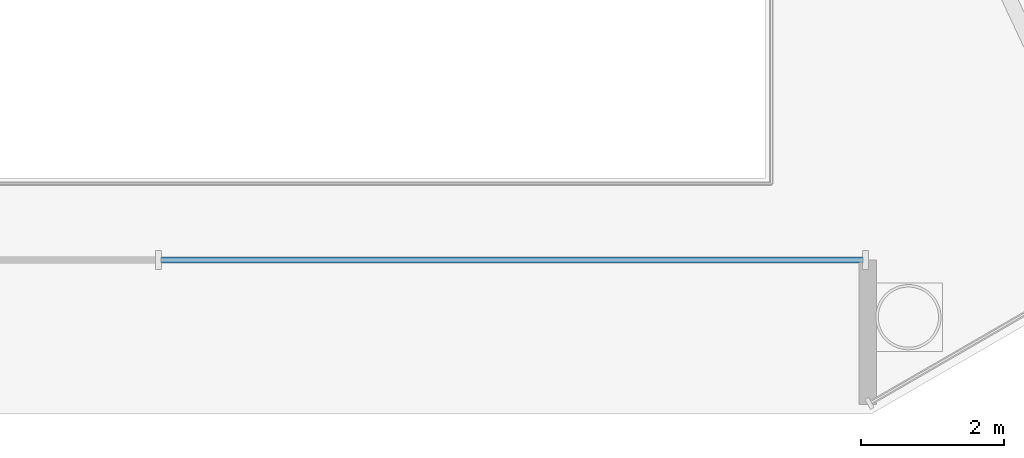
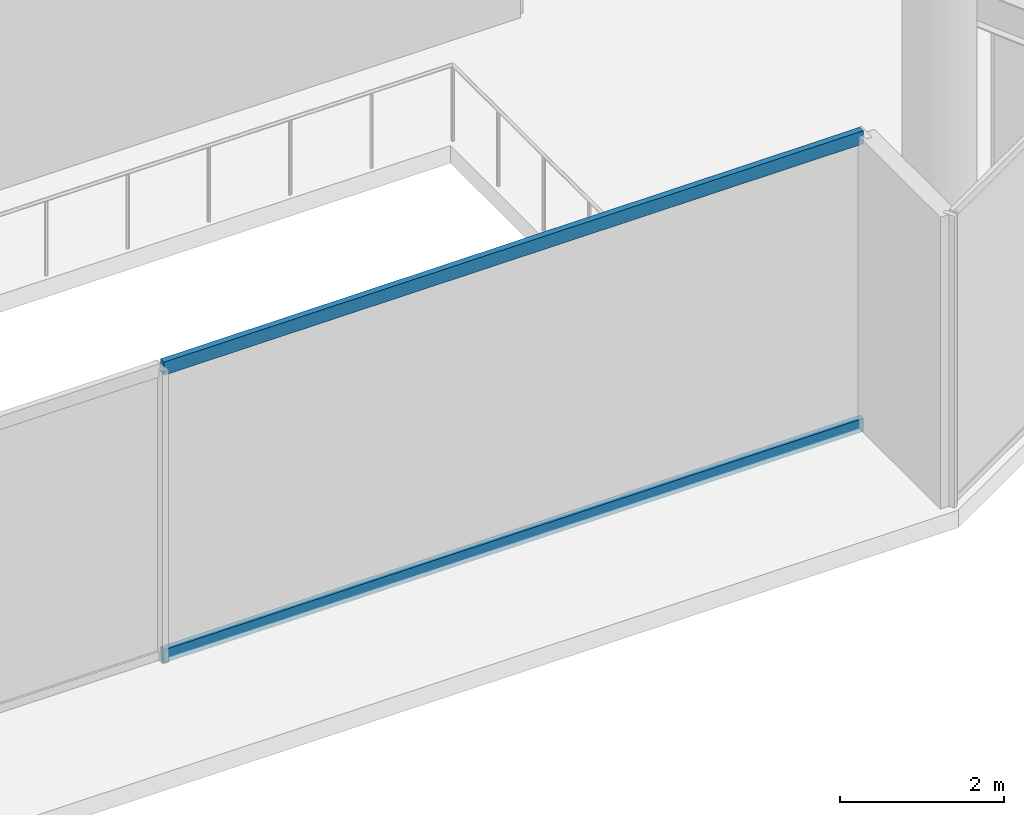
# One storey, part 6 of 22: 2 members, 1 element without a shape of its own.
"""IFC4 building model written with IfcOpenShell, lengths in metres."""

import ifcopenshell
import ifcopenshell.guid

model = None  # the IFC model being written
_history = None  # IfcOwnerHistory: only IFC2X3 demands one
_inside = {}  # id of a spatial element -> (the spatial element, [elements in it])
_under = {}  # id of a project, library or spatial element -> (it, [spatial elements below it])
_declared = {}  # id of a project -> (the project, [libraries it declares])
_typed = {}  # id of a type object -> (the type object, [elements of that type])
_made_of = {}  # id of a material, layer set ... -> (it, [elements and type objects made of it])


def new_model(schema):
    """Start an empty IFC model of exactly this schema.

    Asked for "IFC4X3", IfcOpenShell would pick the latest addendum, in which some entities
    have other attributes; the version numbers below select the first issue.
    IFC2X3 requires an IfcOwnerHistory on every rooted entity: one is made here for all.
    """
    global model, _history
    if schema == "IFC4X3":
        model = ifcopenshell.file(schema_version=(4, 3, 0, 0))
    else:
        model = ifcopenshell.file(schema=schema)
    _inside.clear()
    _under.clear()
    _declared.clear()
    _typed.clear()
    _made_of.clear()
    _history = None
    if model.schema == "IFC2X3":
        org = make("IfcOrganization", Name="unknown")
        user = make(
            "IfcPersonAndOrganization",
            ThePerson=make("IfcPerson", FamilyName="unknown"),
            TheOrganization=org,
        )
        app = make(
            "IfcApplication",
            ApplicationDeveloper=org,
            Version="unknown",
            ApplicationFullName="unknown",
            ApplicationIdentifier="unknown",
        )
        _history = make(
            "IfcOwnerHistory",
            OwningUser=user,
            OwningApplication=app,
            ChangeAction="ADDED",
            CreationDate=0,
        )
    return model


def make(cls, **values):
    """One entity of the class cls with the attributes given. An attribute that is None is left unset."""
    return model.create_entity(
        cls, **{name: value for name, value in values.items() if value is not None}
    )


def rooted(cls, **values):
    """An entity with a GlobalId (a new one), such as an element, a storey or a relation."""
    return make(cls, GlobalId=ifcopenshell.guid.new(), OwnerHistory=_history, **values)


def si_unit(unit_type, name, prefix=None):
    """IfcSIUnit, for example si_unit("LENGTHUNIT", "METRE", prefix="MILLI")."""
    return make("IfcSIUnit", UnitType=unit_type, Prefix=prefix, Name=name)


def assignment(units):
    """IfcUnitAssignment: the units of a project."""
    return None if units is None else make("IfcUnitAssignment", Units=units)


def point(xyz):
    """IfcCartesianPoint."""
    return None if xyz is None else make("IfcCartesianPoint", Coordinates=xyz)


def direction(xyz):
    """IfcDirection."""
    return None if xyz is None else make("IfcDirection", DirectionRatios=xyz)


def frame(location, z_axis=None, x_axis=None):
    """IfcAxis2Placement3D, a coordinate frame: its origin and axes. An axis left out is left unset."""
    return make(
        "IfcAxis2Placement3D",
        Location=point(location),
        Axis=direction(z_axis),
        RefDirection=direction(x_axis),
    )


def frame_2d(location, x_axis=None):
    """IfcAxis2Placement2D, a coordinate frame in the plane: its origin and x axis."""
    return make(
        "IfcAxis2Placement2D", Location=point(location), RefDirection=direction(x_axis)
    )


def origin():
    """The frame at (0, 0, 0) with its axes left unset."""
    return frame((0.0, 0.0, 0.0))


def origin_2d():
    """The frame at (0, 0) in the plane with its x axis left unset."""
    return frame_2d((0.0, 0.0))


def place(relative_to, where):
    """IfcLocalPlacement: puts the frame where relative to a parent placement (None: the world)."""
    return make(
        "IfcLocalPlacement", PlacementRelTo=relative_to, RelativePlacement=where
    )


def context(
    kind, dimensions, precision=None, world=None, true_north=None, identifier=None
):
    """IfcGeometricRepresentationContext, for example the 3D "Model" context."""
    return make(
        "IfcGeometricRepresentationContext",
        ContextIdentifier=identifier,
        ContextType=kind,
        CoordinateSpaceDimension=dimensions,
        Precision=precision,
        WorldCoordinateSystem=world,
        TrueNorth=true_north,
    )


def subcontext(parent, identifier, kind, view, scale=None):
    """IfcGeometricRepresentationSubContext, for example "Body" below "Model"."""
    return make(
        "IfcGeometricRepresentationSubContext",
        ContextIdentifier=identifier,
        ContextType=kind,
        ParentContext=parent,
        TargetScale=scale,
        TargetView=view,
    )


def project(units=None, contexts=None):
    """IfcProject with its units and contexts."""
    return rooted(
        "IfcProject",
        Name="project",
        RepresentationContexts=contexts,
        UnitsInContext=assignment(units),
    )


def spatial(cls, under=None, at=None, **own):
    """A site, building, storey or space (cls), placed at a placement, below another one or the project."""
    s = rooted(cls, ObjectPlacement=at, **own)
    if under is not None:
        _under.setdefault(under.id(), (under, []))[1].append(s)
    return s


def profile(cls, at=None, kind="AREA", **sizes):
    """A parametric profile (cls). Its sizes go by their IFC names, for example OverallWidth=200.0."""
    return make(cls, ProfileType=kind, Position=at, **sizes)


def rectangle(**sizes):
    """IfcRectangleProfileDef."""
    return profile("IfcRectangleProfileDef", **sizes)


def extrude(swept, where, along, depth):
    """IfcExtrudedAreaSolid: the profile swept, set in the frame where, extruded along a direction by depth."""
    return make(
        "IfcExtrudedAreaSolid",
        SweptArea=swept,
        Position=where,
        ExtrudedDirection=direction(along),
        Depth=depth,
    )


def shape(context_of_items, identifier, shape_type, items):
    """IfcShapeRepresentation: the items that make up one representation, for example the "Body"."""
    return make(
        "IfcShapeRepresentation",
        ContextOfItems=context_of_items,
        RepresentationIdentifier=identifier,
        RepresentationType=shape_type,
        Items=items,
    )


def material(Name=None, Category=None):
    """IfcMaterial."""
    return make("IfcMaterial", Name=Name, Category=Category)


def layer(
    of_material, thickness, ventilated=None, Name=None, Category=None, Priority=None
):
    """IfcMaterialLayer: one layer of a wall or slab, of a material (None: an air gap)."""
    return make(
        "IfcMaterialLayer",
        Material=of_material,
        LayerThickness=thickness,
        IsVentilated=ventilated,
        Name=Name,
        Category=Category,
        Priority=Priority,
    )


def layer_set(layers, Name=None):
    """IfcMaterialLayerSet."""
    return make("IfcMaterialLayerSet", MaterialLayers=layers, LayerSetName=Name)


def material_profile(
    of_material, cross_section, Name=None, Category=None, Priority=None
):
    """IfcMaterialProfile: a cross section and its material."""
    return make(
        "IfcMaterialProfile",
        Name=Name,
        Material=of_material,
        Profile=cross_section,
        Priority=Priority,
        Category=Category,
    )


def profile_set(profiles, Name=None, composite=None):
    """IfcMaterialProfileSet."""
    return make(
        "IfcMaterialProfileSet",
        Name=Name,
        MaterialProfiles=profiles,
        CompositeProfile=composite,
    )


def made_of(thing, what):
    """Note that an element or type object is made of a material, layer set ...; save() writes the relation."""
    if what is not None:
        _made_of.setdefault(what.id(), (what, []))[1].append(thing)
    return thing


def type_object(cls, material=None, **own):
    """A type object (cls), such as IfcWallType, which elements share."""
    return made_of(rooted(cls, **own), material)


def element(
    cls,
    number,
    at=None,
    inside=None,
    cuts=None,
    type_object=None,
    material=None,
    context=None,
    identifier="Body",
    shape_type=None,
    held_by="IfcProductDefinitionShape",
    body=None,
    shapes=None,
    **own,
):
    """One element of the class cls, such as IfcWall. Its Tag is "e" and its number.

    at: its placement. inside: the storey or other place that contains it. cuts: it is an
    opening in that element (IfcRelVoidsElement). A single representation is given by context,
    identifier, shape_type and body (its items); several are given by shapes. held_by: the class
    of the entity that holds the representations. save() writes the other relations.
    """
    e = rooted(cls, Tag="e%d" % number, ObjectPlacement=at, **own)
    if body is not None:
        shapes = [shape(context, identifier, shape_type, body)]
    if shapes is not None:
        e.Representation = make(held_by, Representations=shapes)
    if inside is not None:
        _inside.setdefault(inside.id(), (inside, []))[1].append(e)
    if cuts is not None:
        rooted(
            "IfcRelVoidsElement", RelatingBuildingElement=cuts, RelatedOpeningElement=e
        )
    if type_object is not None:
        _typed.setdefault(type_object.id(), (type_object, []))[1].append(e)
    return made_of(e, material)


def aggregate(whole, parts):
    """IfcRelAggregates: a whole, such as a stair, and the parts it consists of."""
    return rooted("IfcRelAggregates", RelatingObject=whole, RelatedObjects=parts)


def save(model, path):
    """Write the relations noted so far, then the file.

    IfcRelAggregates (storeys below a building ...), IfcRelContainedInSpatialStructure (elements
    in a storey), IfcRelDefinesByType, IfcRelAssociatesMaterial and IfcRelDeclares: one each for
    every whole, place, type object, material and project.
    """
    for whole, parts in _under.values():
        aggregate(whole, parts)
    for where, things in _inside.values():
        rooted(
            "IfcRelContainedInSpatialStructure",
            RelatedElements=things,
            RelatingStructure=where,
        )
    for kind, things in _typed.values():
        rooted("IfcRelDefinesByType", RelatedObjects=things, RelatingType=kind)
    for what, things in _made_of.values():
        rooted("IfcRelAssociatesMaterial", RelatedObjects=things, RelatingMaterial=what)
    for by, libraries in _declared.values():
        rooted("IfcRelDeclares", RelatingContext=by, RelatedDefinitions=libraries)
    model.write(path)


model = new_model("IFC4")

# Units and contexts
model_context = context("Model", 3, precision=1e-05, world=origin(), true_north=direction((0.0, 1.0)))
body_context = subcontext(model_context, "Body", "Model", "MODEL_VIEW")
ifc_project = project(units=[si_unit("LENGTHUNIT", "METRE"), si_unit("AREAUNIT", "SQUARE_METRE"), si_unit("VOLUMEUNIT", "CUBIC_METRE"), si_unit("PLANEANGLEUNIT", "RADIAN"), si_unit("MASSUNIT", "GRAM", prefix="KILO")], contexts=[model_context])

# Site, building, storey
site_placement = place(None, origin())
site = spatial("IfcSite", under=ifc_project, at=site_placement, CompositionType="ELEMENT")
building_placement = place(site_placement, origin())
building = spatial("IfcBuilding", under=site, at=building_placement, Name="Kranzbogen Civic Tower", CompositionType="ELEMENT")
storey_placement = place(building_placement, frame((0.0, 0.0, 5.199951171875)))
storey = spatial("IfcBuildingStorey", under=building, at=storey_placement, Name="L01", CompositionType="ELEMENT", Elevation=5.199951171875)

# Curtain wall, members
ifc_material = material(Name="Pale Anodised Aluminium", Category="aluminium")
ifc_layer = layer(ifc_material, 0.219970703125, Name="Pale Anodised Aluminium")
ifc_layer_set = layer_set([ifc_layer], Name="Pale Anodised Aluminium")
curtain_wall_type = type_object("IfcCurtainWallType", Name="Podium Stick Curtain Wall System CW-01", PredefinedType="USERDEFINED", material=ifc_layer_set)
curtain_wall_placement = place(storey_placement, origin())
curtain_wall = element("IfcCurtainWall", 1, at=curtain_wall_placement, inside=storey, type_object=curtain_wall_type, Name="L01 curtain wall CW-L01-F5", ObjectType="STICK CURTAIN WALL", PredefinedType="USERDEFINED")
ifc_material_profile = material_profile(ifc_material, rectangle(XDim=0.0849609375, YDim=0.195068359375, at=origin_2d()), Name="ALU-T 85x195")
ifc_profile_set = profile_set([ifc_material_profile], Name="Pale Anodised Aluminium")
member_type = type_object("IfcMemberType", Name="Curtain Wall Transom ALU-T 85x195", PredefinedType="USERDEFINED", material=ifc_profile_set)
member_1_placement = place(storey_placement, frame((25.030029296875, 5.35009765625, 0.030029296875), z_axis=(1.0, 0.0, 0.0), x_axis=(0.0, 1.0, 0.0)))
member_1 = element("IfcMember", 2, at=member_1_placement, type_object=member_type, Name="CW-01 transom 2.1", ObjectType="TRANSOM", PredefinedType="USERDEFINED", context=body_context, shape_type="SweptSolid", body=[
    extrude(rectangle(XDim=0.0849609375, YDim=0.195068359375, at=origin_2d()), origin(), (0.0, 0.0, 1.0), 9.840087890625),
])
member_2_placement = place(storey_placement, frame((25.030029296875, 5.35009765625, 4.31005859375), z_axis=(1.0, 0.0, 0.0), x_axis=(0.0, 1.0, 0.0)))
member_2 = element("IfcMember", 3, at=member_2_placement, type_object=member_type, Name="CW-01 transom 2.2", ObjectType="TRANSOM", PredefinedType="USERDEFINED", context=body_context, shape_type="SweptSolid", body=[
    extrude(rectangle(XDim=0.0849609375, YDim=0.195068359375, at=origin_2d()), origin(), (0.0, 0.0, 1.0), 9.840087890625),
])
aggregate(curtain_wall, [member_1, member_2])

save(model, "model.ifc")
